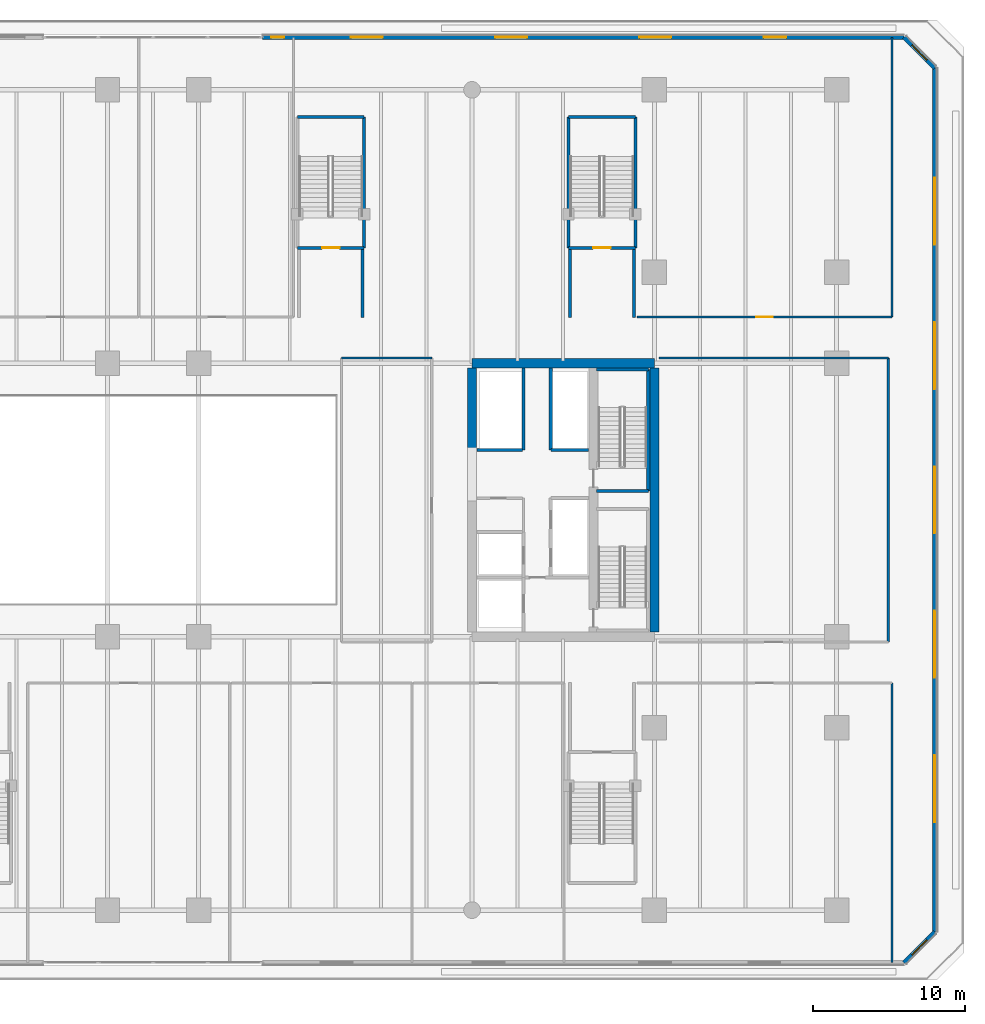
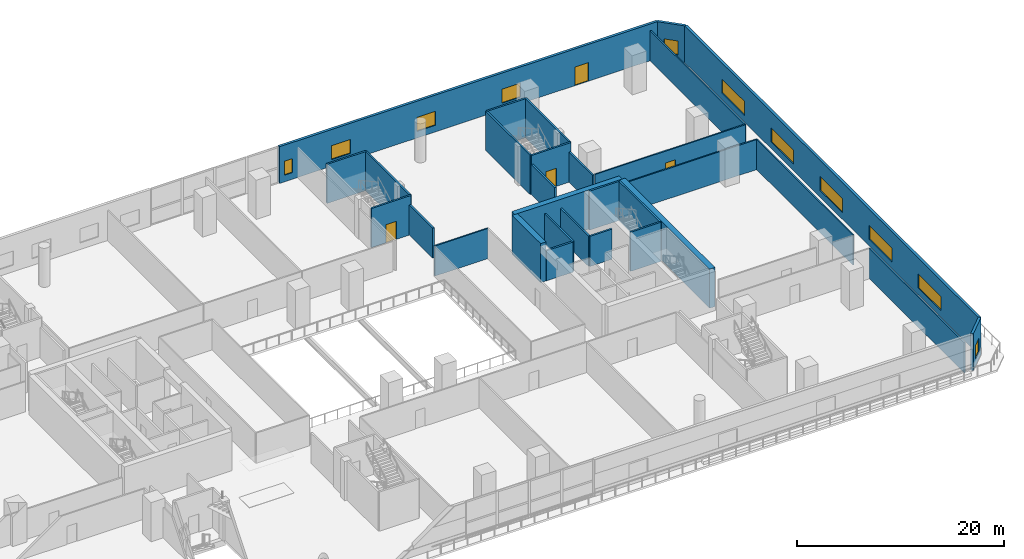
# One storey, part 13 of 27: 30 walls, 11 windows, 4 doors, 15 openings.
"""IFC4 building model written with IfcOpenShell, lengths in metres."""

from ifc_helpers import new_model, si_unit, direction, frame, frame_2d, origin, place, context, subcontext, project, spatial, rectangle, extrude, material, layer, layer_set, type_object, element, fill, save


model = new_model("IFC4")

# Units and contexts
model_context = context("Model", 3, precision=1e-05, world=origin(), true_north=direction((0.0, 1.0)))
body_context = subcontext(model_context, "Body", "Model", "MODEL_VIEW")
ifc_project = project(units=[si_unit("LENGTHUNIT", "METRE"), si_unit("AREAUNIT", "SQUARE_METRE"), si_unit("VOLUMEUNIT", "CUBIC_METRE"), si_unit("PLANEANGLEUNIT", "RADIAN"), si_unit("MASSUNIT", "GRAM", prefix="KILO")], contexts=[model_context])

# Site, building, storey
site_placement = place(None, origin())
site = spatial("IfcSite", under=ifc_project, at=site_placement, CompositionType="ELEMENT")
building_placement = place(site_placement, origin())
building = spatial("IfcBuilding", under=site, at=building_placement, Name="Tanjung Sevakor Pilgrim Tower", CompositionType="ELEMENT")
storey_placement = place(building_placement, frame((0.0, 0.0, 14.85009765625)))
storey = spatial("IfcBuildingStorey", under=building, at=storey_placement, Name="L04", CompositionType="ELEMENT", Elevation=14.85009765625)

# Walls
ifc_material_1 = material(Name="Concrete C60/75", Category="concrete")
ifc_layer_1 = layer(ifc_material_1, 0.60009765625)
ifc_layer_set_1 = layer_set([ifc_layer_1], Name="WALL-CW-600")
wall_type_1 = type_object("IfcWallType", Name="WALL-CW-600", PredefinedType="SHEAR", material=ifc_layer_set_1)
wall_1_placement = place(storey_placement, frame((90.0, 42.60009765625, 0.0), z_axis=(0.0, 0.0, 1.0), x_axis=(-1.0, 0.0, 0.0)))
element("IfcWall", 1, at=wall_1_placement, inside=storey, type_object=wall_type_1, Name="L04 E Core North Shear Wall", PredefinedType="SHEAR", context=body_context, shape_type="SweptSolid", body=[
    extrude(rectangle(XDim=12.0, YDim=0.60009765625, at=frame_2d((6.0, 0.0))), origin(), (0.0, 0.0, 1.0), 4.619873046875),
])
wall_2_placement = place(storey_placement, frame((90.0, 24.89990234375, 0.0), z_axis=(0.0, 0.0, 1.0), x_axis=(0.0, 1.0, 0.0)))
element("IfcWall", 2, at=wall_2_placement, inside=storey, type_object=wall_type_1, Name="L04 E Core Outer Shear Wall", PredefinedType="SHEAR", context=body_context, shape_type="SweptSolid", body=[
    extrude(rectangle(XDim=17.400146484375, YDim=0.60009765625, at=frame_2d((8.7001953125, 0.0))), origin(), (0.0, 0.0, 1.0), 4.619873046875),
])
wall_3_placement = place(storey_placement, frame((78.0, 36.800048828125, 0.0), z_axis=(0.0, 0.0, 1.0), x_axis=(0.0, 1.0, 0.0)))
element("IfcWall", 3, at=wall_3_placement, inside=storey, type_object=wall_type_1, Name="L04 E Core Inner Shear Wall North", PredefinedType="SHEAR", context=body_context, shape_type="SweptSolid", body=[
    extrude(rectangle(XDim=5.5, YDim=0.60009765625, at=frame_2d((2.75, 0.0))), origin(), (0.0, 0.0, 1.0), 4.619873046875),
])
ifc_material_2 = material(Name="Concrete C40/50", Category="concrete")
ifc_layer_2 = layer(ifc_material_2, 0.14990234375)
ifc_layer_set_2 = layer_set([ifc_layer_2], Name="WT-COMP-150")
wall_type_2 = type_object("IfcWallType", Name="WT-COMP-150", PredefinedType="SOLIDWALL", material=ifc_layer_set_2)
wall_4_placement = place(storey_placement, frame((105.64990234375, 3.139892578125, 0.0), z_axis=(0.0, 0.0, 1.0), x_axis=(0.0, 1.0, 0.0)))
element("IfcWall", 4, at=wall_4_placement, inside=storey, type_object=wall_type_2, Name="L04 Partition IW-L04-048", PredefinedType="SOLIDWALL", context=body_context, shape_type="SweptSolid", body=[
    extrude(rectangle(XDim=18.41015625, YDim=0.14990234375, at=frame_2d((9.205078125, 0.0))), origin(), (0.0, 0.0, 1.0), 3.56005859375),
])

# Wall, opening, door
wall_5_placement = place(storey_placement, frame((88.85009765625, 45.64990234375, 0.0), z_axis=(0.0, 0.0, 1.0), x_axis=(1.0, 0.0, 0.0)))
wall_5 = element("IfcWall", 5, at=wall_5_placement, inside=storey, type_object=wall_type_2, Name="L04 Partition IW-L04-059", PredefinedType="SOLIDWALL", context=body_context, shape_type="SweptSolid", body=[
    extrude(rectangle(XDim=16.7998046875, YDim=0.14990234375, at=frame_2d((8.39990234375, 0.0))), origin(), (0.0, 0.0, 1.0), 3.56005859375),
])
opening_1_placement = place(wall_5_placement, frame((7.85009765625, 0.0, 0.0)))
opening_1 = element("IfcOpeningElement", 6, at=opening_1_placement, cuts=wall_5, Name="Opening ID-RM2", PredefinedType="OPENING", context=body_context, shape_type="SweptSolid", body=[
    extrude(rectangle(XDim=1.10009765625, YDim=2.14990234375, at=frame_2d((0.550048828125, 1.074951171875))), frame((0.0, 0.0849609375, 0.0), z_axis=(0.0, -1.0, 0.0), x_axis=(1.0, 0.0, 0.0)), (0.0, 0.0, 1.0), 0.169921875),
])
ifc_material_3 = material(Name="Hardwood Timber", Category="wood")
door_type_1 = type_object("IfcDoorType", Name="DT-INT-1100", OperationType="NOTDEFINED", PredefinedType="DOOR", material=ifc_material_3)
door_1_placement = place(opening_1_placement, origin())
door_1 = element("IfcDoor", 7, at=door_1_placement, inside=storey, type_object=door_type_1, Name="L04 North Academic Door 5", OperationType="SINGLE_SWING_LEFT", OverallHeight=2.14990234375, OverallWidth=1.10009765625, PredefinedType="DOOR", context=body_context, shape_type="SweptSolid", body=[
    extrude(rectangle(XDim=1.10009765625, YDim=2.14990234375, at=frame_2d((0.550048828125, 1.074951171875))), frame((0.0, 0.02490234375, 0.0), z_axis=(0.0, -1.0, 0.0), x_axis=(1.0, 0.0, 0.0)), (0.0, 0.0, 1.0), 0.050048828125),
])
fill(opening_1, door_1)

# Walls
wall_6_placement = place(storey_placement, frame((105.64990234375, 45.64990234375, 0.0), z_axis=(0.0, 0.0, 1.0), x_axis=(0.0, 1.0, 0.0)))
element("IfcWall", 8, at=wall_6_placement, inside=storey, type_object=wall_type_2, Name="L04 Partition IW-L04-060", PredefinedType="SOLIDWALL", context=body_context, shape_type="SweptSolid", body=[
    extrude(rectangle(XDim=18.41015625, YDim=0.14990234375, at=frame_2d((9.205078125, 0.0))), origin(), (0.0, 0.0, 1.0), 3.56005859375),
])
wall_7_placement = place(storey_placement, frame((69.39990234375, 42.949951171875, 0.0), z_axis=(0.0, 0.0, 1.0), x_axis=(1.0, 0.0, 0.0)))
element("IfcWall", 9, at=wall_7_placement, inside=storey, type_object=wall_type_2, Name="L04 Partition IW-L04-066", PredefinedType="SOLIDWALL", context=body_context, shape_type="SweptSolid", body=[
    extrude(rectangle(XDim=5.9501953125, YDim=0.14990234375, at=frame_2d((2.97509765625, 0.0))), origin(), (0.0, 0.0, 1.0), 3.56005859375),
])
wall_8_placement = place(storey_placement, frame((90.320068359375, 42.949951171875, 0.0), z_axis=(0.0, 0.0, 1.0), x_axis=(1.0, 0.0, 0.0)))
element("IfcWall", 10, at=wall_8_placement, inside=storey, type_object=wall_type_2, Name="L04 Partition IW-L04-073", PredefinedType="SOLIDWALL", context=body_context, shape_type="SweptSolid", body=[
    extrude(rectangle(XDim=15.079833984375, YDim=0.14990234375, at=frame_2d((7.5400390625, 0.0))), origin(), (0.0, 0.0, 1.0), 3.56005859375),
])
wall_9_placement = place(storey_placement, frame((105.39990234375, 24.25, 0.0), z_axis=(0.0, 0.0, 1.0), x_axis=(0.0, 1.0, 0.0)))
element("IfcWall", 11, at=wall_9_placement, inside=storey, type_object=wall_type_2, Name="L04 Partition IW-L04-074", PredefinedType="SOLIDWALL", context=body_context, shape_type="SweptSolid", body=[
    extrude(rectangle(XDim=18.699951171875, YDim=0.14990234375, at=frame_2d((9.35009765625, 0.0))), origin(), (0.0, 0.0, 1.0), 3.56005859375),
])

# Wall, opening, window
ifc_material_4 = material(Name="Precast concrete C45/55", Category="concrete")
ifc_layer_3 = layer(ifc_material_4, 0.280029296875)
ifc_layer_set_3 = layer_set([ifc_layer_3], Name="WT-EW-STN2")
wall_type_3 = type_object("IfcWallType", Name="WT-EW-STN2", PredefinedType="SOLIDWALL", material=ifc_layer_set_3)
wall_10_placement = place(storey_placement, frame((106.44189453125, 3.139892578125, 0.0), z_axis=(0.0, 0.0, 1.0), x_axis=(0.707106781187, 0.707106781187, 0.0)))
wall_10 = element("IfcWall", 12, at=wall_10_placement, inside=storey, type_object=wall_type_3, Name="L04 MAIN Exterior Wall 2", PredefinedType="SOLIDWALL", context=body_context, shape_type="SweptSolid", body=[
    extrude(rectangle(XDim=2.85400390625, YDim=0.280029296875, at=frame_2d((1.427001953125, 0.0))), origin(), (0.0, 0.0, 1.0), 4.340087890625),
])
opening_2_placement = place(wall_10_placement, frame((0.726806640625, 0.0, 0.780029296875)))
opening_2 = element("IfcOpeningElement", 13, at=opening_2_placement, cuts=wall_10, Name="Opening WN-END", PredefinedType="OPENING", context=body_context, shape_type="SweptSolid", body=[
    extrude(rectangle(XDim=1.39990234375, YDim=1.64990234375, at=frame_2d((0.699951171875, 0.824951171875))), frame((0.0, 0.14990234375, 0.0), z_axis=(0.0, -1.0, 0.0), x_axis=(1.0, 0.0, 0.0)), (0.0, 0.0, 1.0), 0.300048828125),
])
ifc_material_5 = material(Name="Thermally Broken Aluminium and Low-E Glass", Category="aluminium")
window_type_1 = type_object("IfcWindowType", Name="WTYP-WN-END", PartitioningType="SINGLE_PANEL", PredefinedType="WINDOW", material=ifc_material_5)
window_1_placement = place(opening_2_placement, origin())
window_1 = element("IfcWindow", 14, at=window_1_placement, inside=storey, type_object=window_type_1, Name="L04 Facade Window 01", OverallHeight=1.64990234375, OverallWidth=1.39990234375, PartitioningType="SINGLE_PANEL", PredefinedType="WINDOW", context=body_context, shape_type="SweptSolid", body=[
    extrude(rectangle(XDim=1.39990234375, YDim=1.64990234375, at=frame_2d((0.699951171875, 0.824951171875))), frame((0.0, 0.030029296875, 0.0), z_axis=(0.0, -1.0, 0.0), x_axis=(1.0, 0.0, 0.0)), (0.0, 0.0, 1.0), 0.06005859375),
])
fill(opening_2, window_1)

# Wall, openings, windows
wall_11_placement = place(storey_placement, frame((108.4599609375, 5.157958984375, 0.0), z_axis=(0.0, 0.0, 1.0), x_axis=(0.0, 1.0, 0.0)))
wall_11 = element("IfcWall", 15, at=wall_11_placement, inside=storey, type_object=wall_type_3, Name="L04 MAIN Exterior Wall 3", PredefinedType="SOLIDWALL", context=body_context, shape_type="SweptSolid", body=[
    extrude(rectangle(XDim=56.884033203125, YDim=0.280029296875, at=frame_2d((28.44189453125, 0.0))), origin(), (0.0, 0.0, 1.0), 4.340087890625),
])
opening_3_placement = place(wall_11_placement, frame((26.241943359375, 0.0, 0.780029296875)))
opening_3 = element("IfcOpeningElement", 16, at=opening_3_placement, cuts=wall_11, Name="Opening WN-ENDW-1660", PredefinedType="OPENING", context=body_context, shape_type="SweptSolid", body=[
    extrude(rectangle(XDim=4.39990234375, YDim=1.659912109375, at=frame_2d((2.199951171875, 0.830078125))), frame((0.0, 0.14990234375, 0.0), z_axis=(0.0, -1.0, 0.0), x_axis=(1.0, 0.0, 0.0)), (0.0, 0.0, 1.0), 0.300048828125),
])
opening_4_placement = place(wall_11_placement, frame((7.241943359375, 0.0, 0.780029296875)))
opening_4 = element("IfcOpeningElement", 17, at=opening_4_placement, cuts=wall_11, Name="Opening WN-ENDW-1660", PredefinedType="OPENING", context=body_context, shape_type="SweptSolid", body=[
    extrude(rectangle(XDim=4.39990234375, YDim=1.659912109375, at=frame_2d((2.199951171875, 0.830078125))), frame((0.0, 0.14990234375, 0.0), z_axis=(0.0, -1.0, 0.0), x_axis=(1.0, 0.0, 0.0)), (0.0, 0.0, 1.0), 0.300048828125),
])
opening_5_placement = place(wall_11_placement, frame((16.741943359375, 0.0, 0.780029296875)))
opening_5 = element("IfcOpeningElement", 18, at=opening_5_placement, cuts=wall_11, Name="Opening WN-ENDW-1660", PredefinedType="OPENING", context=body_context, shape_type="SweptSolid", body=[
    extrude(rectangle(XDim=4.39990234375, YDim=1.659912109375, at=frame_2d((2.199951171875, 0.830078125))), frame((0.0, 0.14990234375, 0.0), z_axis=(0.0, -1.0, 0.0), x_axis=(1.0, 0.0, 0.0)), (0.0, 0.0, 1.0), 0.300048828125),
])
opening_6_placement = place(wall_11_placement, frame((35.741943359375, 0.0, 0.780029296875)))
opening_6 = element("IfcOpeningElement", 19, at=opening_6_placement, cuts=wall_11, Name="Opening WN-ENDW-1660", PredefinedType="OPENING", context=body_context, shape_type="SweptSolid", body=[
    extrude(rectangle(XDim=4.39990234375, YDim=1.659912109375, at=frame_2d((2.199951171875, 0.830078125))), frame((0.0, 0.14990234375, 0.0), z_axis=(0.0, -1.0, 0.0), x_axis=(1.0, 0.0, 0.0)), (0.0, 0.0, 1.0), 0.300048828125),
])
opening_7_placement = place(wall_11_placement, frame((45.241943359375, 0.0, 0.780029296875)))
opening_7 = element("IfcOpeningElement", 20, at=opening_7_placement, cuts=wall_11, Name="Opening WN-ENDW-1660", PredefinedType="OPENING", context=body_context, shape_type="SweptSolid", body=[
    extrude(rectangle(XDim=4.39990234375, YDim=1.659912109375, at=frame_2d((2.199951171875, 0.830078125))), frame((0.0, 0.14990234375, 0.0), z_axis=(0.0, -1.0, 0.0), x_axis=(1.0, 0.0, 0.0)), (0.0, 0.0, 1.0), 0.300048828125),
])
ifc_material_6 = material(Name="Thermally Broken Aluminium and Low-E Glass", Category="aluminium")
window_type_2 = type_object("IfcWindowType", Name="WTYP-WN-ENDW-1660", PartitioningType="DOUBLE_PANEL_VERTICAL", PredefinedType="WINDOW", material=ifc_material_6)
window_2_placement = place(opening_3_placement, origin())
window_2 = element("IfcWindow", 21, at=window_2_placement, inside=storey, type_object=window_type_2, Name="L04 Facade Window 01", OverallHeight=1.659912109375, OverallWidth=4.39990234375, PartitioningType="SINGLE_PANEL", PredefinedType="WINDOW", context=body_context, shape_type="SweptSolid", body=[
    extrude(rectangle(XDim=4.39990234375, YDim=1.659912109375, at=frame_2d((2.199951171875, 0.830078125))), frame((0.0, 0.030029296875, 0.0), z_axis=(0.0, -1.0, 0.0), x_axis=(1.0, 0.0, 0.0)), (0.0, 0.0, 1.0), 0.06005859375),
])
fill(opening_3, window_2)
window_3_placement = place(opening_4_placement, origin())
window_3 = element("IfcWindow", 22, at=window_3_placement, inside=storey, type_object=window_type_2, Name="L04 Facade Window 02", OverallHeight=1.659912109375, OverallWidth=4.39990234375, PartitioningType="SINGLE_PANEL", PredefinedType="WINDOW", context=body_context, shape_type="SweptSolid", body=[
    extrude(rectangle(XDim=4.39990234375, YDim=1.659912109375, at=frame_2d((2.199951171875, 0.830078125))), frame((0.0, 0.030029296875, 0.0), z_axis=(0.0, -1.0, 0.0), x_axis=(1.0, 0.0, 0.0)), (0.0, 0.0, 1.0), 0.06005859375),
])
fill(opening_4, window_3)
window_4_placement = place(opening_5_placement, origin())
window_4 = element("IfcWindow", 23, at=window_4_placement, inside=storey, type_object=window_type_2, Name="L04 Facade Window 03", OverallHeight=1.659912109375, OverallWidth=4.39990234375, PartitioningType="SINGLE_PANEL", PredefinedType="WINDOW", context=body_context, shape_type="SweptSolid", body=[
    extrude(rectangle(XDim=4.39990234375, YDim=1.659912109375, at=frame_2d((2.199951171875, 0.830078125))), frame((0.0, 0.030029296875, 0.0), z_axis=(0.0, -1.0, 0.0), x_axis=(1.0, 0.0, 0.0)), (0.0, 0.0, 1.0), 0.06005859375),
])
fill(opening_5, window_4)
window_5_placement = place(opening_6_placement, origin())
window_5 = element("IfcWindow", 24, at=window_5_placement, inside=storey, type_object=window_type_2, Name="L04 Facade Window 04", OverallHeight=1.659912109375, OverallWidth=4.39990234375, PartitioningType="SINGLE_PANEL", PredefinedType="WINDOW", context=body_context, shape_type="SweptSolid", body=[
    extrude(rectangle(XDim=4.39990234375, YDim=1.659912109375, at=frame_2d((2.199951171875, 0.830078125))), frame((0.0, 0.030029296875, 0.0), z_axis=(0.0, -1.0, 0.0), x_axis=(1.0, 0.0, 0.0)), (0.0, 0.0, 1.0), 0.06005859375),
])
fill(opening_6, window_5)
window_6_placement = place(opening_7_placement, origin())
window_6 = element("IfcWindow", 25, at=window_6_placement, inside=storey, type_object=window_type_2, Name="L04 Facade Window 05", OverallHeight=1.659912109375, OverallWidth=4.39990234375, PartitioningType="SINGLE_PANEL", PredefinedType="WINDOW", context=body_context, shape_type="SweptSolid", body=[
    extrude(rectangle(XDim=4.39990234375, YDim=1.659912109375, at=frame_2d((2.199951171875, 0.830078125))), frame((0.0, 0.030029296875, 0.0), z_axis=(0.0, -1.0, 0.0), x_axis=(1.0, 0.0, 0.0)), (0.0, 0.0, 1.0), 0.06005859375),
])
fill(opening_7, window_6)

# Wall, opening, window
wall_12_placement = place(storey_placement, frame((108.4599609375, 62.0419921875, 0.0), z_axis=(0.0, 0.0, 1.0), x_axis=(-0.707106781187, 0.707106781187, 0.0)))
wall_12 = element("IfcWall", 26, at=wall_12_placement, inside=storey, type_object=wall_type_3, Name="L04 MAIN Exterior Wall 4", PredefinedType="SOLIDWALL", context=body_context, shape_type="SweptSolid", body=[
    extrude(rectangle(XDim=2.85400390625, YDim=0.280029296875, at=frame_2d((1.427001953125, 0.0))), origin(), (0.0, 0.0, 1.0), 4.340087890625),
])
opening_8_placement = place(wall_12_placement, frame((0.726806640625, 0.0, 0.780029296875)))
opening_8 = element("IfcOpeningElement", 27, at=opening_8_placement, cuts=wall_12, Name="Opening WN-END", PredefinedType="OPENING", context=body_context, shape_type="SweptSolid", body=[
    extrude(rectangle(XDim=1.39990234375, YDim=1.64990234375, at=frame_2d((0.699951171875, 0.824951171875))), frame((0.0, 0.14990234375, 0.0), z_axis=(0.0, -1.0, 0.0), x_axis=(1.0, 0.0, 0.0)), (0.0, 0.0, 1.0), 0.300048828125),
])
window_7_placement = place(opening_8_placement, origin())
window_7 = element("IfcWindow", 28, at=window_7_placement, inside=storey, type_object=window_type_1, Name="L04 Facade Window 01", OverallHeight=1.64990234375, OverallWidth=1.39990234375, PartitioningType="SINGLE_PANEL", PredefinedType="WINDOW", context=body_context, shape_type="SweptSolid", body=[
    extrude(rectangle(XDim=1.39990234375, YDim=1.64990234375, at=frame_2d((0.699951171875, 0.824951171875))), frame((0.0, 0.030029296875, 0.0), z_axis=(0.0, -1.0, 0.0), x_axis=(1.0, 0.0, 0.0)), (0.0, 0.0, 1.0), 0.06005859375),
])
fill(opening_8, window_7)

# Wall, openings, door, windows
wall_13_placement = place(storey_placement, frame((106.44189453125, 64.06005859375, 0.0), z_axis=(0.0, 0.0, 1.0), x_axis=(-1.0, 0.0, 0.0)))
wall_13 = element("IfcWall", 29, at=wall_13_placement, inside=storey, type_object=wall_type_3, Name="L04 Cascading Podium Limestone Wall N1", PredefinedType="SOLIDWALL", context=body_context, shape_type="SweptSolid", body=[
    extrude(rectangle(XDim=42.241943359375, YDim=0.280029296875, at=frame_2d((21.12109375, 0.0))), origin(), (0.0, 0.0, 1.0), 4.340087890625),
])
opening_9_placement = place(wall_13_placement, frame((7.75, 0.0, 0.0)))
opening_9 = element("IfcOpeningElement", 30, at=opening_9_placement, cuts=wall_13, Name="Opening ED-TER-1500", PredefinedType="OPENING", context=body_context, shape_type="SweptSolid", body=[
    extrude(rectangle(XDim=1.5, YDim=2.199951171875, at=frame_2d((0.75, 1.10009765625))), frame((0.0, 0.14990234375, 0.0), z_axis=(0.0, -1.0, 0.0), x_axis=(1.0, 0.0, 0.0)), (0.0, 0.0, 1.0), 0.300048828125),
])
opening_10_placement = place(wall_13_placement, frame((40.81689453125, 0.0, 0.780029296875)))
opening_10 = element("IfcOpeningElement", 31, at=opening_10_placement, cuts=wall_13, Name="Opening WN-SLM", PredefinedType="OPENING", context=body_context, shape_type="SweptSolid", body=[
    extrude(rectangle(XDim=0.85009765625, YDim=1.64990234375, at=frame_2d((0.425048828125, 0.824951171875))), frame((0.0, 0.14990234375, 0.0), z_axis=(0.0, -1.0, 0.0), x_axis=(1.0, 0.0, 0.0)), (0.0, 0.0, 1.0), 0.300048828125),
])
opening_11_placement = place(wall_13_placement, frame((15.321044921875, 0.0, 0.780029296875)))
opening_11 = element("IfcOpeningElement", 32, at=opening_11_placement, cuts=wall_13, Name="Opening WN-P2-1660", PredefinedType="OPENING", context=body_context, shape_type="SweptSolid", body=[
    extrude(rectangle(XDim=2.10009765625, YDim=1.659912109375, at=frame_2d((1.050048828125, 0.830078125))), frame((0.0, 0.14990234375, 0.0), z_axis=(0.0, -1.0, 0.0), x_axis=(1.0, 0.0, 0.0)), (0.0, 0.0, 1.0), 0.300048828125),
])
opening_12_placement = place(wall_13_placement, frame((24.821044921875, 0.0, 0.780029296875)))
opening_12 = element("IfcOpeningElement", 33, at=opening_12_placement, cuts=wall_13, Name="Opening WN-P2-1660", PredefinedType="OPENING", context=body_context, shape_type="SweptSolid", body=[
    extrude(rectangle(XDim=2.10009765625, YDim=1.659912109375, at=frame_2d((1.050048828125, 0.830078125))), frame((0.0, 0.14990234375, 0.0), z_axis=(0.0, -1.0, 0.0), x_axis=(1.0, 0.0, 0.0)), (0.0, 0.0, 1.0), 0.300048828125),
])
opening_13_placement = place(wall_13_placement, frame((34.321044921875, 0.0, 0.780029296875)))
opening_13 = element("IfcOpeningElement", 34, at=opening_13_placement, cuts=wall_13, Name="Opening WN-P2-1660", PredefinedType="OPENING", context=body_context, shape_type="SweptSolid", body=[
    extrude(rectangle(XDim=2.10009765625, YDim=1.659912109375, at=frame_2d((1.050048828125, 0.830078125))), frame((0.0, 0.14990234375, 0.0), z_axis=(0.0, -1.0, 0.0), x_axis=(1.0, 0.0, 0.0)), (0.0, 0.0, 1.0), 0.300048828125),
])
ifc_material_7 = material(Name="Anodised Aluminium and Laminated Glass", Category="aluminium")
door_type_2 = type_object("IfcDoorType", Name="DTYP-ED-TER-1500", OperationType="DOUBLE_DOOR_SINGLE_SWING", PredefinedType="DOOR", material=ifc_material_7)
door_2_placement = place(opening_9_placement, frame((1.5, 0.0, 0.0), z_axis=(0.0, 0.0, 1.0), x_axis=(-1.0, 0.0, 0.0)))
door_2 = element("IfcDoor", 35, at=door_2_placement, inside=storey, type_object=door_type_2, Name="L04 Cascading Garden Terrace Door N", OperationType="SINGLE_SWING_LEFT", OverallHeight=2.199951171875, OverallWidth=1.5, PredefinedType="DOOR", context=body_context, shape_type="SweptSolid", body=[
    extrude(rectangle(XDim=1.5, YDim=2.199951171875, at=frame_2d((0.75, 1.10009765625))), frame((0.0, 0.02490234375, 0.0), z_axis=(0.0, -1.0, 0.0), x_axis=(1.0, 0.0, 0.0)), (0.0, 0.0, 1.0), 0.050048828125),
])
fill(opening_9, door_2)
ifc_material_8 = material(Name="Thermally Broken Aluminium and Low-E Glass", Category="aluminium")
window_type_3 = type_object("IfcWindowType", Name="WTYP-WN-P2-1660", PartitioningType="DOUBLE_PANEL_VERTICAL", PredefinedType="WINDOW", material=ifc_material_8)
window_8_placement = place(opening_11_placement, origin())
window_8 = element("IfcWindow", 36, at=window_8_placement, inside=storey, type_object=window_type_3, Name="L04 Facade Window 02", OverallHeight=1.659912109375, OverallWidth=2.10009765625, PartitioningType="SINGLE_PANEL", PredefinedType="WINDOW", context=body_context, shape_type="SweptSolid", body=[
    extrude(rectangle(XDim=2.10009765625, YDim=1.659912109375, at=frame_2d((1.050048828125, 0.830078125))), frame((0.0, 0.030029296875, 0.0), z_axis=(0.0, -1.0, 0.0), x_axis=(1.0, 0.0, 0.0)), (0.0, 0.0, 1.0), 0.06005859375),
])
fill(opening_11, window_8)
window_9_placement = place(opening_12_placement, origin())
window_9 = element("IfcWindow", 37, at=window_9_placement, inside=storey, type_object=window_type_3, Name="L04 Facade Window 03", OverallHeight=1.659912109375, OverallWidth=2.10009765625, PartitioningType="SINGLE_PANEL", PredefinedType="WINDOW", context=body_context, shape_type="SweptSolid", body=[
    extrude(rectangle(XDim=2.10009765625, YDim=1.659912109375, at=frame_2d((1.050048828125, 0.830078125))), frame((0.0, 0.030029296875, 0.0), z_axis=(0.0, -1.0, 0.0), x_axis=(1.0, 0.0, 0.0)), (0.0, 0.0, 1.0), 0.06005859375),
])
fill(opening_12, window_9)
window_10_placement = place(opening_13_placement, origin())
window_10 = element("IfcWindow", 38, at=window_10_placement, inside=storey, type_object=window_type_3, Name="L04 Facade Window 04", OverallHeight=1.659912109375, OverallWidth=2.10009765625, PartitioningType="SINGLE_PANEL", PredefinedType="WINDOW", context=body_context, shape_type="SweptSolid", body=[
    extrude(rectangle(XDim=2.10009765625, YDim=1.659912109375, at=frame_2d((1.050048828125, 0.830078125))), frame((0.0, 0.030029296875, 0.0), z_axis=(0.0, -1.0, 0.0), x_axis=(1.0, 0.0, 0.0)), (0.0, 0.0, 1.0), 0.06005859375),
])
fill(opening_13, window_10)
ifc_material_9 = material(Name="Thermally Broken Aluminium and Low-E Glass", Category="aluminium")
window_type_4 = type_object("IfcWindowType", Name="WTYP-WN-SLM", PartitioningType="SINGLE_PANEL", PredefinedType="WINDOW", material=ifc_material_9)
window_11_placement = place(opening_10_placement, origin())
window_11 = element("IfcWindow", 39, at=window_11_placement, inside=storey, type_object=window_type_4, Name="L04 Facade Window 01", OverallHeight=1.64990234375, OverallWidth=0.85009765625, PartitioningType="SINGLE_PANEL", PredefinedType="WINDOW", context=body_context, shape_type="SweptSolid", body=[
    extrude(rectangle(XDim=0.85009765625, YDim=1.64990234375, at=frame_2d((0.425048828125, 0.824951171875))), frame((0.0, 0.030029296875, 0.0), z_axis=(0.0, -1.0, 0.0), x_axis=(1.0, 0.0, 0.0)), (0.0, 0.0, 1.0), 0.06005859375),
])
fill(opening_10, window_11)

# Walls
ifc_material_10 = material(Name="Concrete C40/50", Category="concrete")
ifc_layer_4 = layer(ifc_material_10, 0.199951171875)
ifc_layer_set_4 = layer_set([ifc_layer_4], Name="WT-FIRE-200")
wall_type_4 = type_object("IfcWallType", Name="WT-FIRE-200", PredefinedType="SOLIDWALL", material=ifc_layer_set_4)
wall_14_placement = place(storey_placement, frame((86.199951171875, 34.199951171875, 0.0), z_axis=(0.0, 0.0, 1.0), x_axis=(1.0, 0.0, 0.0)))
element("IfcWall", 40, at=wall_14_placement, inside=storey, type_object=wall_type_4, Name="L04 TS-E2 Shaft Wall 1", PredefinedType="SOLIDWALL", context=body_context, shape_type="SweptSolid", body=[
    extrude(rectangle(XDim=3.400146484375, YDim=0.199951171875, at=frame_2d((1.7001953125, 0.0))), origin(), (0.0, 0.0, 1.0), 4.619873046875),
])
wall_15_placement = place(storey_placement, frame((89.60009765625, 34.199951171875, 0.0), z_axis=(0.0, 0.0, 1.0), x_axis=(0.0, 1.0, 0.0)))
element("IfcWall", 41, at=wall_15_placement, inside=storey, type_object=wall_type_4, Name="L04 TS-E2 Shaft Wall 2", PredefinedType="SOLIDWALL", context=body_context, shape_type="SweptSolid", body=[
    extrude(rectangle(XDim=8.0, YDim=0.199951171875, at=frame_2d((4.0, 0.0))), origin(), (0.0, 0.0, 1.0), 4.619873046875),
])
wall_16_placement = place(storey_placement, frame((89.60009765625, 42.199951171875, 0.0), z_axis=(0.0, 0.0, 1.0), x_axis=(-1.0, 0.0, 0.0)))
element("IfcWall", 42, at=wall_16_placement, inside=storey, type_object=wall_type_4, Name="L04 TS-E2 Shaft Wall 3", PredefinedType="SOLIDWALL", context=body_context, shape_type="SweptSolid", body=[
    extrude(rectangle(XDim=3.400146484375, YDim=0.199951171875, at=frame_2d((1.7001953125, 0.0))), origin(), (0.0, 0.0, 1.0), 4.619873046875),
])

# Wall, opening, door
wall_17_placement = place(storey_placement, frame((66.5, 50.199951171875, 0.0), z_axis=(0.0, 0.0, 1.0), x_axis=(1.0, 0.0, 0.0)))
wall_17 = element("IfcWall", 43, at=wall_17_placement, inside=storey, type_object=wall_type_4, Name="L04 PS-4 Shaft Wall 1", PredefinedType="SOLIDWALL", context=body_context, shape_type="SweptSolid", body=[
    extrude(rectangle(XDim=4.39990234375, YDim=0.199951171875, at=frame_2d((2.199951171875, 0.0))), origin(), (0.0, 0.0, 1.0), 4.619873046875),
])
opening_14_placement = place(wall_17_placement, frame((1.625, 0.0, 0.0)))
opening_14 = element("IfcOpeningElement", 44, at=opening_14_placement, cuts=wall_17, Name="Opening ID-ST1", PredefinedType="OPENING", context=body_context, shape_type="SweptSolid", body=[
    extrude(rectangle(XDim=1.14990234375, YDim=2.14990234375, at=frame_2d((0.574951171875, 1.074951171875))), frame((0.0, 0.10986328125, 0.0), z_axis=(0.0, -1.0, 0.0), x_axis=(1.0, 0.0, 0.0)), (0.0, 0.0, 1.0), 0.219970703125),
])
ifc_material_11 = material(Name="Fire-Rated Steel S355J2", Category="steel")
door_type_3 = type_object("IfcDoorType", Name="DT-FIRE-1150", OperationType="NOTDEFINED", PredefinedType="DOOR", material=ifc_material_11)
door_3_placement = place(opening_14_placement, origin())
door_3 = element("IfcDoor", 45, at=door_3_placement, inside=storey, type_object=door_type_3, Name="L04 PS-4 Stair Entry Fire Door", OperationType="SINGLE_SWING_LEFT", OverallHeight=2.14990234375, OverallWidth=1.14990234375, PredefinedType="DOOR", context=body_context, shape_type="SweptSolid", body=[
    extrude(rectangle(XDim=1.14990234375, YDim=2.14990234375, at=frame_2d((0.574951171875, 1.074951171875))), frame((0.0, 0.02490234375, 0.0), z_axis=(0.0, -1.0, 0.0), x_axis=(1.0, 0.0, 0.0)), (0.0, 0.0, 1.0), 0.050048828125),
])
fill(opening_14, door_3)

# Walls
wall_18_placement = place(storey_placement, frame((70.89990234375, 50.199951171875, 0.0), z_axis=(0.0, 0.0, 1.0), x_axis=(0.0, 1.0, 0.0)))
element("IfcWall", 46, at=wall_18_placement, inside=storey, type_object=wall_type_4, Name="L04 PS-4 Shaft Wall 2", PredefinedType="SOLIDWALL", context=body_context, shape_type="SweptSolid", body=[
    extrude(rectangle(XDim=8.60009765625, YDim=0.199951171875, at=frame_2d((4.300048828125, 0.0))), origin(), (0.0, 0.0, 1.0), 4.619873046875),
])
wall_19_placement = place(storey_placement, frame((70.89990234375, 58.800048828125, 0.0), z_axis=(0.0, 0.0, 1.0), x_axis=(-1.0, 0.0, 0.0)))
element("IfcWall", 47, at=wall_19_placement, inside=storey, type_object=wall_type_4, Name="L04 PS-4 Shaft Wall 3", PredefinedType="SOLIDWALL", context=body_context, shape_type="SweptSolid", body=[
    extrude(rectangle(XDim=4.39990234375, YDim=0.199951171875, at=frame_2d((2.199951171875, 0.0))), origin(), (0.0, 0.0, 1.0), 4.619873046875),
])

# Wall, opening, door
wall_20_placement = place(storey_placement, frame((84.35009765625, 50.199951171875, 0.0), z_axis=(0.0, 0.0, 1.0), x_axis=(1.0, 0.0, 0.0)))
wall_20 = element("IfcWall", 48, at=wall_20_placement, inside=storey, type_object=wall_type_4, Name="L04 PS-6 Shaft Wall 1", PredefinedType="SOLIDWALL", context=body_context, shape_type="SweptSolid", body=[
    extrude(rectangle(XDim=4.39990234375, YDim=0.199951171875, at=frame_2d((2.199951171875, 0.0))), origin(), (0.0, 0.0, 1.0), 4.619873046875),
])
opening_15_placement = place(wall_20_placement, frame((1.625, 0.0, 0.0)))
opening_15 = element("IfcOpeningElement", 49, at=opening_15_placement, cuts=wall_20, Name="Opening ID-ST1", PredefinedType="OPENING", context=body_context, shape_type="SweptSolid", body=[
    extrude(rectangle(XDim=1.14990234375, YDim=2.14990234375, at=frame_2d((0.574951171875, 1.074951171875))), frame((0.0, 0.10986328125, 0.0), z_axis=(0.0, -1.0, 0.0), x_axis=(1.0, 0.0, 0.0)), (0.0, 0.0, 1.0), 0.219970703125),
])
door_4_placement = place(opening_15_placement, origin())
door_4 = element("IfcDoor", 50, at=door_4_placement, inside=storey, type_object=door_type_3, Name="L04 PS-6 Stair Entry Fire Door", OperationType="SINGLE_SWING_LEFT", OverallHeight=2.14990234375, OverallWidth=1.14990234375, PredefinedType="DOOR", context=body_context, shape_type="SweptSolid", body=[
    extrude(rectangle(XDim=1.14990234375, YDim=2.14990234375, at=frame_2d((0.574951171875, 1.074951171875))), frame((0.0, 0.02490234375, 0.0), z_axis=(0.0, -1.0, 0.0), x_axis=(1.0, 0.0, 0.0)), (0.0, 0.0, 1.0), 0.050048828125),
])
fill(opening_15, door_4)

# Walls
wall_21_placement = place(storey_placement, frame((88.75, 50.199951171875, 0.0), z_axis=(0.0, 0.0, 1.0), x_axis=(0.0, 1.0, 0.0)))
element("IfcWall", 51, at=wall_21_placement, inside=storey, type_object=wall_type_4, Name="L04 PS-6 Shaft Wall 2", PredefinedType="SOLIDWALL", context=body_context, shape_type="SweptSolid", body=[
    extrude(rectangle(XDim=8.60009765625, YDim=0.199951171875, at=frame_2d((4.300048828125, 0.0))), origin(), (0.0, 0.0, 1.0), 4.619873046875),
])
wall_22_placement = place(storey_placement, frame((88.75, 58.800048828125, 0.0), z_axis=(0.0, 0.0, 1.0), x_axis=(-1.0, 0.0, 0.0)))
element("IfcWall", 52, at=wall_22_placement, inside=storey, type_object=wall_type_4, Name="L04 PS-6 Shaft Wall 3", PredefinedType="SOLIDWALL", context=body_context, shape_type="SweptSolid", body=[
    extrude(rectangle(XDim=4.39990234375, YDim=0.199951171875, at=frame_2d((2.199951171875, 0.0))), origin(), (0.0, 0.0, 1.0), 4.619873046875),
])
wall_23_placement = place(storey_placement, frame((84.35009765625, 58.800048828125, 0.0), z_axis=(0.0, 0.0, 1.0), x_axis=(0.0, -1.0, 0.0)))
element("IfcWall", 53, at=wall_23_placement, inside=storey, type_object=wall_type_4, Name="L04 PS-6 Shaft Wall 4", PredefinedType="SOLIDWALL", context=body_context, shape_type="SweptSolid", body=[
    extrude(rectangle(XDim=8.60009765625, YDim=0.199951171875, at=frame_2d((4.300048828125, 0.0))), origin(), (0.0, 0.0, 1.0), 4.619873046875),
])
ifc_material_12 = material(Name="Concrete C40/50", Category="concrete")
ifc_layer_5 = layer(ifc_material_12, 0.199951171875)
ifc_layer_set_5 = layer_set([ifc_layer_5], Name="WT-FPRT-200")
wall_type_5 = type_object("IfcWallType", Name="WT-FPRT-200", PredefinedType="SOLIDWALL", material=ifc_layer_set_5)
wall_24_placement = place(storey_placement, frame((83.199951171875, 36.8798828125, 0.0), z_axis=(0.0, 0.0, 1.0), x_axis=(1.0, 0.0, 0.0)))
element("IfcWall", 54, at=wall_24_placement, inside=storey, type_object=wall_type_5, Name="L04 Partition IW-L04-021", PredefinedType="SOLIDWALL", context=body_context, shape_type="SweptSolid", body=[
    extrude(rectangle(XDim=2.47998046875, YDim=0.199951171875, at=frame_2d((1.239990234375, 0.0))), origin(), (0.0, 0.0, 1.0), 3.56005859375),
])
wall_25_placement = place(storey_placement, frame((83.179931640625, 36.8798828125, 0.0), z_axis=(0.0, 0.0, 1.0), x_axis=(0.0, 1.0, 0.0)))
element("IfcWall", 55, at=wall_25_placement, inside=storey, type_object=wall_type_5, Name="L04 Partition IW-L04-022", PredefinedType="SOLIDWALL", context=body_context, shape_type="SweptSolid", body=[
    extrude(rectangle(XDim=5.420166015625, YDim=0.199951171875, at=frame_2d((2.7099609375, 0.0))), origin(), (0.0, 0.0, 1.0), 3.56005859375),
])
wall_26_placement = place(storey_placement, frame((78.320068359375, 36.8798828125, 0.0), z_axis=(0.0, 0.0, 1.0), x_axis=(1.0, 0.0, 0.0)))
element("IfcWall", 56, at=wall_26_placement, inside=storey, type_object=wall_type_5, Name="L04 Partition IW-L04-023", PredefinedType="SOLIDWALL", context=body_context, shape_type="SweptSolid", body=[
    extrude(rectangle(XDim=3.0, YDim=0.199951171875, at=frame_2d((1.5, 0.0))), origin(), (0.0, 0.0, 1.0), 3.56005859375),
])
wall_27_placement = place(storey_placement, frame((81.3798828125, 36.8798828125, 0.0), z_axis=(0.0, 0.0, 1.0), x_axis=(0.0, 1.0, 0.0)))
element("IfcWall", 57, at=wall_27_placement, inside=storey, type_object=wall_type_5, Name="L04 Partition IW-L04-024", PredefinedType="SOLIDWALL", context=body_context, shape_type="SweptSolid", body=[
    extrude(rectangle(XDim=5.420166015625, YDim=0.199951171875, at=frame_2d((2.7099609375, 0.0))), origin(), (0.0, 0.0, 1.0), 3.56005859375),
])
for number, where, z_axis, x_axis, name in (
    (58, (70.800048828125, 45.60009765625, 0.0), (0.0, 0.0, 1.0), (0.0, 1.0, 0.0), "L04 Partition IW-L04-034"),
    (59, (84.449951171875, 45.60009765625, 0.0), (0.0, 0.0, 1.0), (0.0, 1.0, 0.0), "L04 Partition IW-L04-035"),
    (60, (88.64990234375, 45.60009765625, 0.0), (0.0, 0.0, 1.0), (0.0, 1.0, 0.0), "L04 Partition IW-L04-036"),
):
    element("IfcWall", number, at=place(storey_placement, frame(where, z_axis=z_axis, x_axis=x_axis)), inside=storey, type_object=wall_type_5, Name=name, PredefinedType="SOLIDWALL", context=body_context, shape_type="SweptSolid", body=[
        extrude(rectangle(XDim=4.599853515625, YDim=0.199951171875, at=frame_2d((2.2998046875, 0.0))), origin(), (0.0, 0.0, 1.0), 3.56005859375),
    ])

save(model, "model.ifc")
